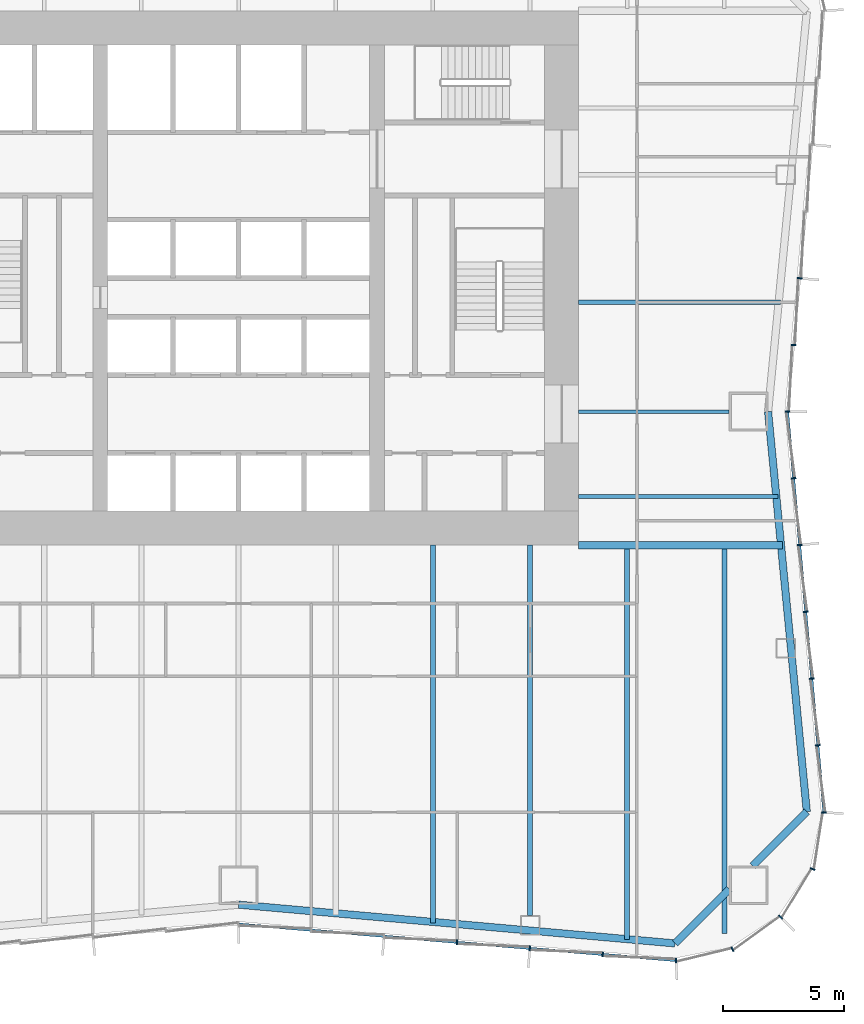
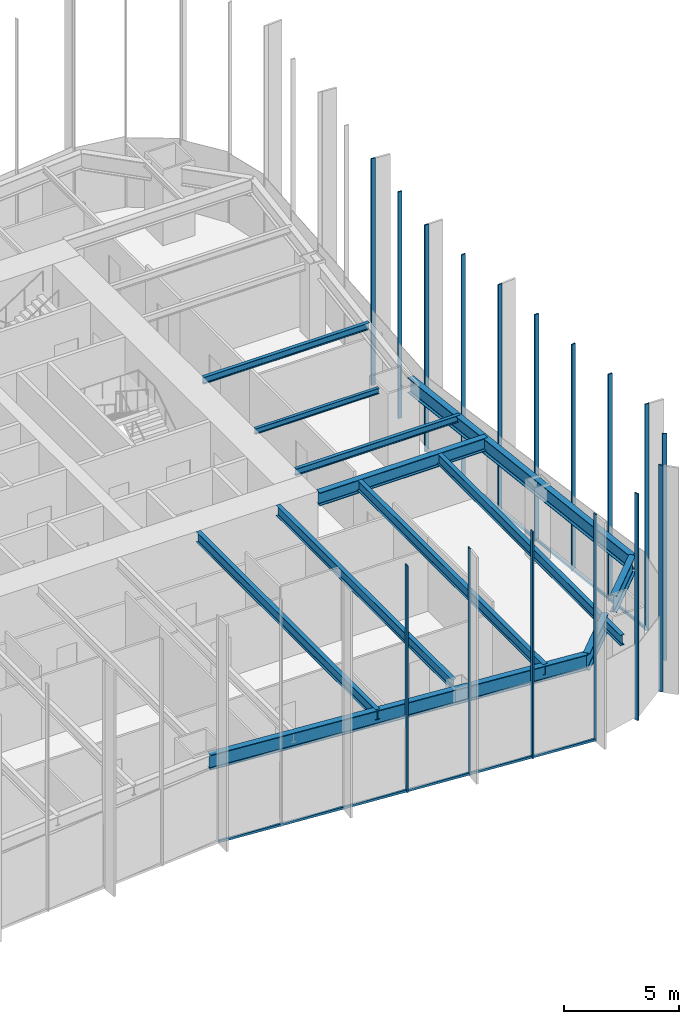
# One storey, part 4 of 13: 18 members, 12 beams, 3 elements without a shape of their own.
"""IFC4 building model written with IfcOpenShell, lengths in metres."""

from ifc_helpers import new_model, si_unit, direction, frame, origin, origin_2d, place, context, subcontext, project, spatial, rectangle, i_section, extrude, material, material_profile, profile_set, type_object, element, aggregate, save


model = new_model("IFC4")

# Units and contexts
model_context = context("Model", 3, precision=1e-05, world=origin(), true_north=direction((0.0, 1.0)))
body_context = subcontext(model_context, "Body", "Model", "MODEL_VIEW")
ifc_project = project(units=[si_unit("LENGTHUNIT", "METRE"), si_unit("AREAUNIT", "SQUARE_METRE"), si_unit("VOLUMEUNIT", "CUBIC_METRE"), si_unit("PLANEANGLEUNIT", "RADIAN"), si_unit("MASSUNIT", "GRAM", prefix="KILO")], contexts=[model_context])

# Site, building, storey
site_placement = place(None, origin())
site = spatial("IfcSite", under=ifc_project, at=site_placement, CompositionType="ELEMENT")
building_placement = place(site_placement, origin())
building = spatial("IfcBuilding", under=site, at=building_placement, Name="Verdant Reach Tower", CompositionType="ELEMENT")
storey_placement = place(building_placement, frame((0.0, 0.0, 26.0)))
storey = spatial("IfcBuildingStorey", under=building, at=storey_placement, Name="L05", CompositionType="ELEMENT", Elevation=26.0)

# Curtain wall, members
ifc_material_1 = material(Name="Anodised aluminium", Category="aluminium")
curtain_wall_type = type_object("IfcCurtainWallType", Name="EN-CW SYSTEM Z0", PredefinedType="NOTDEFINED", material=ifc_material_1)
curtain_wall_1_placement = place(storey_placement, origin())
curtain_wall_1 = element("IfcCurtainWall", 1, at=curtain_wall_1_placement, inside=storey, type_object=curtain_wall_type, Name="Curtain wall south-east corner, L05", PredefinedType="NOTDEFINED")
ifc_material_profile_1 = material_profile(ifc_material_1, rectangle(XDim=0.199951171875, YDim=0.06005859375, at=origin_2d()), Name="Mullion 60x200")
ifc_profile_set_1 = profile_set([ifc_material_profile_1], Name="Anodised aluminium")
member_type_1 = type_object("IfcMemberType", Name="EN-MULLION Z0", PredefinedType="MULLION", material=ifc_profile_set_1)
member_1_placement = place(storey_placement, frame((18.005615234375, -0.099853515625, -0.35009765625), z_axis=(0.0, 0.0, 1.0), x_axis=(0.056569187765, -0.998398681387, 0.0)))
member_1 = element("IfcMember", 2, at=member_1_placement, type_object=member_type_1, Name="Mullion south-east corner 1, L05", PredefinedType="MULLION", context=body_context, shape_type="SweptSolid", body=[
    extrude(rectangle(XDim=0.199951171875, YDim=0.06005859375, at=origin_2d()), origin(), (0.0, 0.0, 1.0), 12.0),
])
member_2_placement = place(storey_placement, frame((20.33447265625, 0.3642578125, -0.35009765625), z_axis=(0.0, 0.0, 1.0), x_axis=(0.382693853776, -0.923875215753, 0.0)))
member_2 = element("IfcMember", 3, at=member_2_placement, type_object=member_type_1, Name="Mullion south-east corner 2, L05", PredefinedType="MULLION", context=body_context, shape_type="SweptSolid", body=[
    extrude(rectangle(XDim=0.199951171875, YDim=0.06005859375, at=origin_2d()), origin(), (0.0, 0.0, 1.0), 12.0),
])
member_3_placement = place(storey_placement, frame((22.313232421875, 1.686767578125, -0.35009765625), z_axis=(0.0, 0.0, 1.0), x_axis=(0.707106781187, -0.707106781187, 0.0)))
member_3 = element("IfcMember", 4, at=member_3_placement, type_object=member_type_1, Name="Mullion south-east corner 3, L05", PredefinedType="MULLION", context=body_context, shape_type="SweptSolid", body=[
    extrude(rectangle(XDim=0.199951171875, YDim=0.06005859375, at=origin_2d()), origin(), (0.0, 0.0, 1.0), 12.0),
])
member_4_placement = place(storey_placement, frame((23.6357421875, 3.66552734375, -0.35009765625), z_axis=(0.0, 0.0, 1.0), x_axis=(0.923875215753, -0.382693853776, 0.0)))
member_4 = element("IfcMember", 5, at=member_4_placement, type_object=member_type_1, Name="Mullion south-east corner 4, L05", PredefinedType="MULLION", context=body_context, shape_type="SweptSolid", body=[
    extrude(rectangle(XDim=0.199951171875, YDim=0.06005859375, at=origin_2d()), origin(), (0.0, 0.0, 1.0), 12.0),
])
aggregate(curtain_wall_1, [member_1, member_2, member_3, member_4])

curtain_wall_2_placement = place(storey_placement, origin())
curtain_wall_2 = element("IfcCurtainWall", 6, at=curtain_wall_2_placement, inside=storey, type_object=curtain_wall_type, Name="Curtain wall east, L05", PredefinedType="NOTDEFINED")
member_5_placement = place(storey_placement, frame((24.099853515625, 5.99462890625, -0.35009765625), z_axis=(0.0, 0.0, 1.0), x_axis=(0.998604288049, -0.052815489107, 0.0)))
member_5 = element("IfcMember", 7, at=member_5_placement, type_object=member_type_1, Name="Mullion east face part 1 1, L05", PredefinedType="MULLION", context=body_context, shape_type="SweptSolid", body=[
    extrude(rectangle(XDim=0.199951171875, YDim=0.06005859375, at=origin_2d()), origin(), (0.0, 0.0, 1.0), 12.0),
])
member_6_placement = place(storey_placement, frame((23.849609375, 8.759033203125, -0.35009765625), z_axis=(0.0, 0.0, 1.0), x_axis=(0.995893206467, 0.090535746047, 0.0)))
member_6 = element("IfcMember", 8, at=member_6_placement, type_object=member_type_1, Name="Mullion east face part 1 2, L05", PredefinedType="MULLION", context=body_context, shape_type="SweptSolid", body=[
    extrude(rectangle(XDim=0.199951171875, YDim=0.06005859375, at=origin_2d()), origin(), (0.0, 0.0, 1.0), 12.0),
])
member_7_placement = place(storey_placement, frame((23.599609375, 11.509033203125, -0.35009765625), z_axis=(0.0, 0.0, 1.0), x_axis=(0.995893206467, 0.090535746047, 0.0)))
member_7 = element("IfcMember", 9, at=member_7_placement, type_object=member_type_1, Name="Mullion east face part 1 3, L05", PredefinedType="MULLION", context=body_context, shape_type="SweptSolid", body=[
    extrude(rectangle(XDim=0.199951171875, YDim=0.06005859375, at=origin_2d()), origin(), (0.0, 0.0, 1.0), 12.0),
])
member_8_placement = place(storey_placement, frame((23.349609375, 14.259033203125, -0.35009765625), z_axis=(0.0, 0.0, 1.0), x_axis=(0.995893206467, 0.090535746047, 0.0)))
member_8 = element("IfcMember", 10, at=member_8_placement, type_object=member_type_1, Name="Mullion east face part 1 4, L05", PredefinedType="MULLION", context=body_context, shape_type="SweptSolid", body=[
    extrude(rectangle(XDim=0.199951171875, YDim=0.06005859375, at=origin_2d()), origin(), (0.0, 0.0, 1.0), 12.0),
])
member_9_placement = place(storey_placement, frame((23.099609375, 17.009033203125, -0.35009765625), z_axis=(0.0, 0.0, 1.0), x_axis=(0.995893206467, 0.090535746047, 0.0)))
member_9 = element("IfcMember", 11, at=member_9_placement, type_object=member_type_1, Name="Mullion east face part 1 5, L05", PredefinedType="MULLION", context=body_context, shape_type="SweptSolid", body=[
    extrude(rectangle(XDim=0.199951171875, YDim=0.06005859375, at=origin_2d()), origin(), (0.0, 0.0, 1.0), 12.0),
])
member_10_placement = place(storey_placement, frame((22.849609375, 19.759033203125, -0.35009765625), z_axis=(0.0, 0.0, 1.0), x_axis=(0.995893206467, 0.090535746047, 0.0)))
member_10 = element("IfcMember", 12, at=member_10_placement, type_object=member_type_1, Name="Mullion east face part 1 6, L05", PredefinedType="MULLION", context=body_context, shape_type="SweptSolid", body=[
    extrude(rectangle(XDim=0.199951171875, YDim=0.06005859375, at=origin_2d()), origin(), (0.0, 0.0, 1.0), 12.0),
])
member_11_placement = place(storey_placement, frame((22.60009765625, 22.5, -0.35009765625), z_axis=(0.0, 0.0, 1.0), x_axis=(1.0, 0.0, 0.0)))
member_11 = element("IfcMember", 13, at=member_11_placement, type_object=member_type_1, Name="Mullion east face part 2 1, L05", PredefinedType="MULLION", context=body_context, shape_type="SweptSolid", body=[
    extrude(rectangle(XDim=0.199951171875, YDim=0.06005859375, at=origin_2d()), origin(), (0.0, 0.0, 1.0), 12.0),
])
member_12_placement = place(storey_placement, frame((22.849609375, 25.240966796875, -0.35009765625), z_axis=(0.0, 0.0, 1.0), x_axis=(0.995893206467, -0.090535746047, 0.0)))
member_12 = element("IfcMember", 14, at=member_12_placement, type_object=member_type_1, Name="Mullion east face part 2 2, L05", PredefinedType="MULLION", context=body_context, shape_type="SweptSolid", body=[
    extrude(rectangle(XDim=0.199951171875, YDim=0.06005859375, at=origin_2d()), origin(), (0.0, 0.0, 1.0), 12.0),
])
member_13_placement = place(storey_placement, frame((23.099609375, 27.990966796875, -0.35009765625), z_axis=(0.0, 0.0, 1.0), x_axis=(0.995893206467, -0.090535746047, 0.0)))
member_13 = element("IfcMember", 15, at=member_13_placement, type_object=member_type_1, Name="Mullion east face part 2 3, L05", PredefinedType="MULLION", context=body_context, shape_type="SweptSolid", body=[
    extrude(rectangle(XDim=0.199951171875, YDim=0.06005859375, at=origin_2d()), origin(), (0.0, 0.0, 1.0), 12.0),
])

curtain_wall_3_placement = place(storey_placement, origin())
curtain_wall_3 = element("IfcCurtainWall", 16, at=curtain_wall_3_placement, inside=storey, type_object=curtain_wall_type, Name="Curtain wall south, L05", PredefinedType="NOTDEFINED")
member_14_placement = place(storey_placement, frame((8.99169921875, 0.650390625, -0.35009765625), z_axis=(0.0, 0.0, 1.0), x_axis=(-0.083045479859, -0.996545758244, 0.0)))
member_14 = element("IfcMember", 17, at=member_14_placement, type_object=member_type_1, Name="Mullion south face part 2 4, L05", PredefinedType="MULLION", context=body_context, shape_type="SweptSolid", body=[
    extrude(rectangle(XDim=0.199951171875, YDim=0.06005859375, at=origin_2d()), origin(), (0.0, 0.0, 1.0), 12.0),
])
member_15_placement = place(storey_placement, frame((11.99169921875, 0.400390625, -0.35009765625), z_axis=(0.0, 0.0, 1.0), x_axis=(-0.083045479859, -0.996545758244, 0.0)))
member_15 = element("IfcMember", 18, at=member_15_placement, type_object=member_type_1, Name="Mullion south face part 2 5, L05", PredefinedType="MULLION", context=body_context, shape_type="SweptSolid", body=[
    extrude(rectangle(XDim=0.199951171875, YDim=0.06005859375, at=origin_2d()), origin(), (0.0, 0.0, 1.0), 12.0),
])
member_16_placement = place(storey_placement, frame((14.99169921875, 0.150390625, -0.35009765625), z_axis=(0.0, 0.0, 1.0), x_axis=(-0.083045479859, -0.996545758244, 0.0)))
member_16 = element("IfcMember", 19, at=member_16_placement, type_object=member_type_1, Name="Mullion south face part 2 6, L05", PredefinedType="MULLION", context=body_context, shape_type="SweptSolid", body=[
    extrude(rectangle(XDim=0.199951171875, YDim=0.06005859375, at=origin_2d()), origin(), (0.0, 0.0, 1.0), 12.0),
])

# Member
ifc_material_profile_2 = material_profile(ifc_material_1, rectangle(XDim=0.10009765625, YDim=0.1201171875, at=origin_2d()), Name="Transom 120x100")
ifc_profile_set_2 = profile_set([ifc_material_profile_2], Name="Anodised aluminium")
member_type_2 = type_object("IfcMemberType", Name="EN-TRANSOM Z0", PredefinedType="USERDEFINED", material=ifc_profile_set_2)
member_17_placement = place(storey_placement, frame((24.09716796875, 6.024658203125, -0.2900390625), z_axis=(-0.090495755184, 0.995896841191, 0.0), x_axis=(-0.995896841191, -0.090495755184, 0.0)))
member_17 = element("IfcMember", 20, at=member_17_placement, type_object=member_type_2, Name="Transom east face part 1 1.1, L05", ObjectType="TRANSOM", PredefinedType="USERDEFINED", context=body_context, shape_type="SweptSolid", body=[
    extrude(rectangle(XDim=0.10009765625, YDim=0.1201171875, at=origin_2d()), origin(), (0.0, 0.0, 1.0), 16.513427734375),
])

aggregate(curtain_wall_2, [member_5, member_6, member_7, member_8, member_9, member_10, member_17, member_11, member_12, member_13])

member_18_placement = place(storey_placement, frame((0.02978515625, 1.3974609375, -0.2900390625), z_axis=(0.996548656072, -0.083010698588, 0.0), x_axis=(0.083010698588, 0.996548656072, 0.0)))
member_18 = element("IfcMember", 21, at=member_18_placement, type_object=member_type_2, Name="Transom south face part 2 1.1, L05", ObjectType="TRANSOM", PredefinedType="USERDEFINED", context=body_context, shape_type="SweptSolid", body=[
    extrude(rectangle(XDim=0.10009765625, YDim=0.1201171875, at=origin_2d()), origin(), (0.0, 0.0, 1.0), 18.00830078125),
])

aggregate(curtain_wall_3, [member_14, member_15, member_16, member_18])

# Beams
ifc_material_2 = material(Name="Steel S355", Category="steel")
ifc_material_profile_3 = material_profile(ifc_material_2, i_section(OverallWidth=0.300048828125, OverallDepth=0.699951171875, WebThickness=0.01708984375, FlangeThickness=0.031982421875, FilletRadius=0.027099609375, at=origin_2d()), Name="HEB 700")
ifc_profile_set_3 = profile_set([ifc_material_profile_3], Name="Steel S355")
beam_type_1 = type_object("IfcBeamType", Name="ST-BEAM-HEB700", PredefinedType="BEAM", material=ifc_profile_set_3)
beam_1_placement = place(storey_placement, frame((14.0, 17.0, 3.52001953125), z_axis=(1.0, 0.0, 0.0), x_axis=(0.0, 1.0, 0.0)))
element("IfcBeam", 22, at=beam_1_placement, inside=storey, type_object=beam_type_1, Name="Trimmer beam, L05", PredefinedType="BEAM", context=body_context, shape_type="SweptSolid", body=[
    extrude(i_section(OverallWidth=0.300048828125, OverallDepth=0.699951171875, WebThickness=0.01708984375, FlangeThickness=0.031982421875, FilletRadius=0.027099609375, at=origin_2d()), origin(), (0.0, 0.0, 1.0), 8.3974609375),
])
ifc_material_profile_4 = material_profile(ifc_material_2, i_section(OverallWidth=0.14990234375, OverallDepth=0.300048828125, WebThickness=0.007080078125, FlangeThickness=0.0107421875, FilletRadius=0.014892578125, at=origin_2d()), Name="IPE 300")
ifc_profile_set_4 = profile_set([ifc_material_profile_4], Name="Steel S355")
beam_type_2 = type_object("IfcBeamType", Name="ST-JOIST-IPE300", PredefinedType="JOIST", material=ifc_profile_set_4)
beam_2_placement = place(storey_placement, frame((14.0, 22.5, 3.719970703125), z_axis=(1.0, 0.0, 0.0), x_axis=(0.0, 1.0, 0.0)))
element("IfcBeam", 23, at=beam_2_placement, inside=storey, type_object=beam_type_2, Name="Floor joist, L05", PredefinedType="JOIST", context=body_context, shape_type="SweptSolid", body=[
    extrude(i_section(OverallWidth=0.14990234375, OverallDepth=0.300048828125, WebThickness=0.007080078125, FlangeThickness=0.0107421875, FilletRadius=0.014892578125, at=origin_2d()), origin(), (0.0, 0.0, 1.0), 6.199951171875),
])
ifc_material_profile_5 = material_profile(ifc_material_2, i_section(OverallWidth=0.169921875, OverallDepth=0.360107421875, WebThickness=0.008056640625, FlangeThickness=0.0126953125, FilletRadius=0.01806640625, at=origin_2d()), Name="IPE 360")
ifc_profile_set_5 = profile_set([ifc_material_profile_5], Name="Steel S355")
beam_type_3 = type_object("IfcBeamType", Name="ST-JOIST-IPE360", PredefinedType="JOIST", material=ifc_profile_set_5)
beam_3_placement = place(storey_placement, frame((14.0, 19.0, 3.68994140625), z_axis=(1.0, 0.0, 0.0), x_axis=(0.0, 1.0, 0.0)))
element("IfcBeam", 24, at=beam_3_placement, inside=storey, type_object=beam_type_3, Name="Floor joist, L05", PredefinedType="JOIST", context=body_context, shape_type="SweptSolid", body=[
    extrude(i_section(OverallWidth=0.169921875, OverallDepth=0.360107421875, WebThickness=0.008056640625, FlangeThickness=0.0126953125, FilletRadius=0.01806640625, at=origin_2d()), origin(), (0.0, 0.0, 1.0), 8.2158203125),
])
beam_4_placement = place(storey_placement, frame((14.0, 27.0, 3.68994140625), z_axis=(1.0, 0.0, 0.0), x_axis=(0.0, 1.0, 0.0)))
element("IfcBeam", 25, at=beam_4_placement, inside=storey, type_object=beam_type_3, Name="Floor joist, L05", PredefinedType="JOIST", context=body_context, shape_type="SweptSolid", body=[
    extrude(i_section(OverallWidth=0.169921875, OverallDepth=0.360107421875, WebThickness=0.008056640625, FlangeThickness=0.0126953125, FilletRadius=0.01806640625, at=origin_2d()), origin(), (0.0, 0.0, 1.0), 8.306640625),
])
ifc_material_profile_6 = material_profile(ifc_material_2, i_section(OverallWidth=0.2099609375, OverallDepth=0.550048828125, WebThickness=0.010986328125, FlangeThickness=0.01708984375, FilletRadius=0.02392578125, at=origin_2d()), Name="IPE 550")
ifc_profile_set_6 = profile_set([ifc_material_profile_6], Name="Steel S355")
beam_type_4 = type_object("IfcBeamType", Name="ST-JOIST-IPE550", PredefinedType="JOIST", material=ifc_profile_set_6)
beam_5_placement = place(storey_placement, frame((8.0, 17.0, 3.594970703125), z_axis=(0.0, -1.0, 0.0), x_axis=(1.0, 0.0, 0.0)))
element("IfcBeam", 26, at=beam_5_placement, inside=storey, type_object=beam_type_4, Name="Floor joist, L05", PredefinedType="JOIST", context=body_context, shape_type="SweptSolid", body=[
    extrude(i_section(OverallWidth=0.2099609375, OverallDepth=0.550048828125, WebThickness=0.010986328125, FlangeThickness=0.01708984375, FilletRadius=0.02392578125, at=origin_2d()), origin(), (0.0, 0.0, 1.0), 15.564697265625),
])
beam_6_placement = place(storey_placement, frame((12.0, 17.0, 3.594970703125), z_axis=(0.0, -1.0, 0.0), x_axis=(1.0, 0.0, 0.0)))
element("IfcBeam", 27, at=beam_6_placement, inside=storey, type_object=beam_type_4, Name="Floor joist, L05", PredefinedType="JOIST", context=body_context, shape_type="SweptSolid", body=[
    extrude(i_section(OverallWidth=0.2099609375, OverallDepth=0.550048828125, WebThickness=0.010986328125, FlangeThickness=0.01708984375, FilletRadius=0.02392578125, at=origin_2d()), origin(), (0.0, 0.0, 1.0), 15.25),
])
beam_7_placement = place(storey_placement, frame((16.0, 16.89990234375, 3.594970703125), z_axis=(0.0, -1.0, 0.0), x_axis=(1.0, 0.0, 0.0)))
element("IfcBeam", 28, at=beam_7_placement, inside=storey, type_object=beam_type_4, Name="Floor joist, L05", PredefinedType="JOIST", context=body_context, shape_type="SweptSolid", body=[
    extrude(i_section(OverallWidth=0.2099609375, OverallDepth=0.550048828125, WebThickness=0.010986328125, FlangeThickness=0.01708984375, FilletRadius=0.02392578125, at=origin_2d()), origin(), (0.0, 0.0, 1.0), 16.131103515625),
])
beam_8_placement = place(storey_placement, frame((20.0, 16.89990234375, 3.594970703125), z_axis=(0.0, -1.0, 0.0), x_axis=(1.0, 0.0, 0.0)))
element("IfcBeam", 29, at=beam_8_placement, inside=storey, type_object=beam_type_4, Name="Floor joist, L05", PredefinedType="JOIST", context=body_context, shape_type="SweptSolid", body=[
    extrude(i_section(OverallWidth=0.2099609375, OverallDepth=0.550048828125, WebThickness=0.010986328125, FlangeThickness=0.01708984375, FilletRadius=0.02392578125, at=origin_2d()), origin(), (0.0, 0.0, 1.0), 15.890380859375),
])
ifc_material_profile_7 = material_profile(ifc_material_2, i_section(OverallWidth=0.300048828125, OverallDepth=0.800048828125, WebThickness=0.017578125, FlangeThickness=0.032958984375, FilletRadius=0.030029296875, at=origin_2d()), Name="HEB 800")
ifc_profile_set_7 = profile_set([ifc_material_profile_7], Name="Steel S355")
beam_type_5 = type_object("IfcBeamType", Name="ST-SPANDREL-HEB800", PredefinedType="SPANDREL", material=ifc_profile_set_7)
beam_9_placement = place(storey_placement, frame((17.9658203125, 0.60498046875, 3.469970703125), z_axis=(-0.996082370463, 0.088430262084, 0.0), x_axis=(-0.088430262084, -0.996082370463, 0.0)))
element("IfcBeam", 30, at=beam_9_placement, inside=storey, type_object=beam_type_5, Name="Edge beam, L05", PredefinedType="SPANDREL", context=body_context, shape_type="SweptSolid", body=[
    extrude(i_section(OverallWidth=0.300048828125, OverallDepth=0.800048828125, WebThickness=0.017578125, FlangeThickness=0.032958984375, FilletRadius=0.030029296875, at=origin_2d()), origin(), (0.0, 0.0, 1.0), 18.036376953125),
])
beam_10_placement = place(storey_placement, frame((21.800048828125, 22.5, 3.469970703125), z_axis=(0.096372296695, -0.995345357366, 0.0), x_axis=(0.995345357366, 0.096372296695, 0.0)))
element("IfcBeam", 31, at=beam_10_placement, inside=storey, type_object=beam_type_5, Name="Edge beam, L05", PredefinedType="SPANDREL", context=body_context, shape_type="SweptSolid", body=[
    extrude(i_section(OverallWidth=0.300048828125, OverallDepth=0.800048828125, WebThickness=0.017578125, FlangeThickness=0.032958984375, FilletRadius=0.030029296875, at=origin_2d()), origin(), (0.0, 0.0, 1.0), 16.544921875),
])
ifc_material_profile_8 = material_profile(ifc_material_2, i_section(OverallWidth=0.302001953125, OverallDepth=0.909912109375, WebThickness=0.02099609375, FlangeThickness=0.0400390625, FilletRadius=0.030029296875, at=origin_2d()), Name="HEM 900")
ifc_profile_set_8 = profile_set([ifc_material_profile_8], Name="Steel S355")
beam_type_6 = type_object("IfcBeamType", Name="ST-SPANDREL-HEM900", PredefinedType="SPANDREL", material=ifc_profile_set_8)
beam_11_placement = place(storey_placement, frame((23.39453125, 6.031982421875, 3.4150390625), z_axis=(-0.70722277322, -0.706990770123, 0.0), x_axis=(0.706990770123, -0.70722277322, 0.0)))
element("IfcBeam", 32, at=beam_11_placement, inside=storey, type_object=beam_type_6, Name="Edge beam, L05", PredefinedType="SPANDREL", context=body_context, shape_type="SweptSolid", body=[
    extrude(i_section(OverallWidth=0.302001953125, OverallDepth=0.909912109375, WebThickness=0.02099609375, FlangeThickness=0.0400390625, FilletRadius=0.030029296875, at=origin_2d()), origin(), (0.0, 0.0, 1.0), 3.156982421875),
])
beam_12_placement = place(storey_placement, frame((20.199951171875, 2.83837890625, 3.4150390625), z_axis=(-0.707222697162, -0.706990846206, 0.0), x_axis=(0.706990846206, -0.707222697162, 0.0)))
element("IfcBeam", 33, at=beam_12_placement, inside=storey, type_object=beam_type_6, Name="Edge beam, L05", PredefinedType="SPANDREL", context=body_context, shape_type="SweptSolid", body=[
    extrude(i_section(OverallWidth=0.302001953125, OverallDepth=0.909912109375, WebThickness=0.02099609375, FlangeThickness=0.0400390625, FilletRadius=0.030029296875, at=origin_2d()), origin(), (0.0, 0.0, 1.0), 3.158935546875),
])

save(model, "model.ifc")
